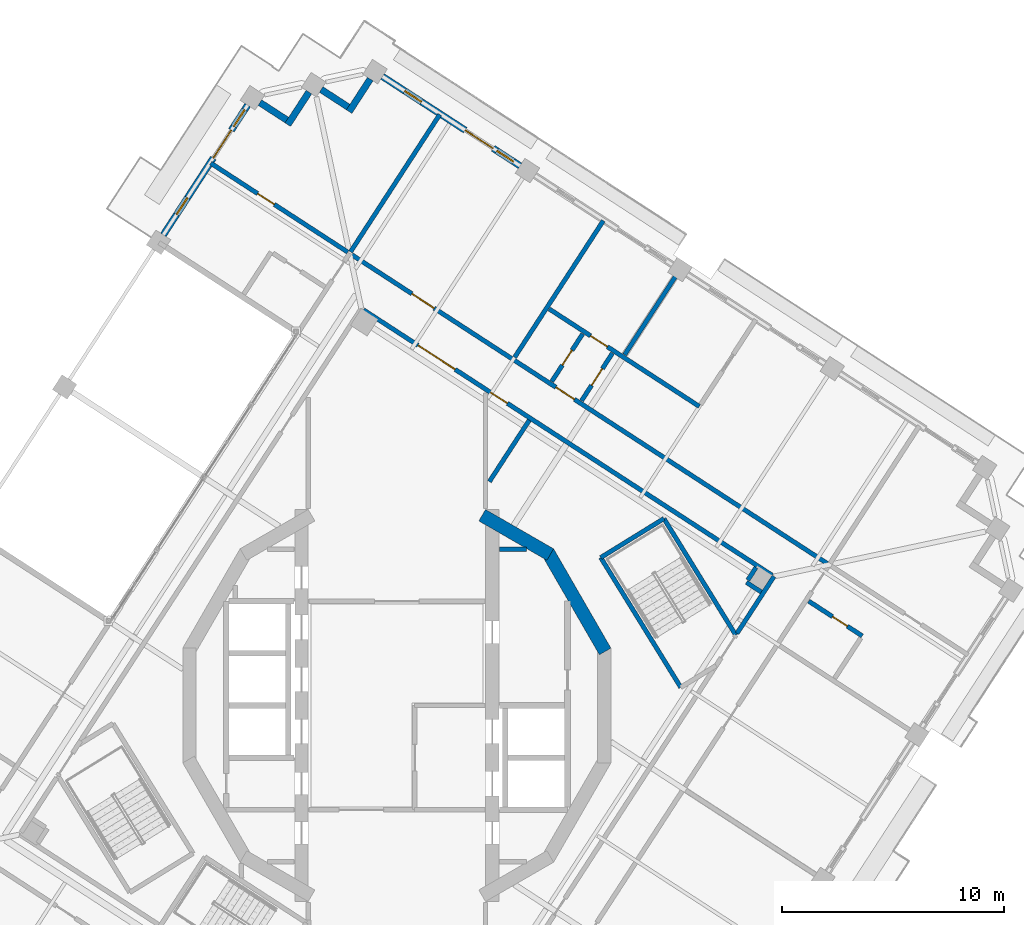
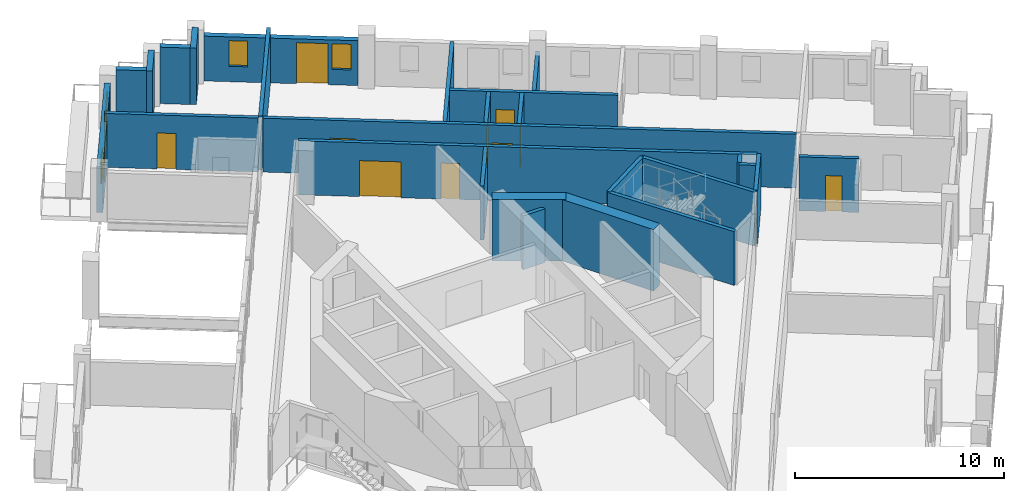
# One storey, part 9 of 17: 26 walls, 11 doors, 4 windows, 15 openings.
"""IFC4 building model written with IfcOpenShell, lengths in metres."""

from ifc_helpers import new_model, si_unit, direction, frame, frame_2d, origin, place, context, subcontext, project, spatial, rectangle, extrude, material, layer, layer_set, type_object, element, fill, save


model = new_model("IFC4")

# Units and contexts
model_context = context("Model", 3, precision=1e-05, world=origin(), true_north=direction((0.0, 1.0)))
body_context = subcontext(model_context, "Body", "Model", "MODEL_VIEW")
ifc_project = project(units=[si_unit("LENGTHUNIT", "METRE"), si_unit("AREAUNIT", "SQUARE_METRE"), si_unit("VOLUMEUNIT", "CUBIC_METRE"), si_unit("PLANEANGLEUNIT", "RADIAN"), si_unit("MASSUNIT", "GRAM", prefix="KILO")], contexts=[model_context])

# Site, building, storey
site_placement = place(None, origin())
site = spatial("IfcSite", under=ifc_project, at=site_placement, CompositionType="ELEMENT")
building_placement = place(site_placement, origin())
building = spatial("IfcBuilding", under=site, at=building_placement, Name="Cantera Rosa Tower", CompositionType="ELEMENT")
storey_placement = place(building_placement, frame((0.0, 0.0, 286.5)))
storey = spatial("IfcBuildingStorey", under=building, at=storey_placement, Name="L65", CompositionType="ELEMENT", Elevation=286.5)

# Wall
ifc_material_1 = material(Name="Gypsum board partition")
ifc_layer_1 = layer(ifc_material_1, 0.199951171875)
ifc_layer_set_1 = layer_set([ifc_layer_1], Name="CORRIDOR WALL 200 H3150")
wall_type_1 = type_object("IfcWallType", Name="CORRIDOR WALL 200 H3150", PredefinedType="PARTITIONING", material=ifc_layer_set_1)
wall_1_placement = place(storey_placement, frame((15.349853515625, 3.256103515625, 0.0), z_axis=(0.0, 0.0, 1.0), x_axis=(0.544603984755, 0.838693328809, 0.0)))
element("IfcWall", 1, at=wall_1_placement, inside=storey, type_object=wall_type_1, Name="CORRIDOR WALL L65-083", PredefinedType="PARTITIONING", context=body_context, shape_type="SweptSolid", body=[
    extrude(rectangle(XDim=3.05908203125, YDim=0.199951171875, at=frame_2d((1.529541015625, 0.0))), origin(), (0.0, 0.0, 1.0), 3.14990234375),
])

# Wall, openings, doors
wall_2_placement = place(storey_placement, frame((16.931884765625, 5.876220703125, 0.0), z_axis=(0.0, 0.0, 1.0), x_axis=(-0.838668134264, 0.544642782538, 0.0)))
wall_2 = element("IfcWall", 2, at=wall_2_placement, inside=storey, type_object=wall_type_1, Name="CORRIDOR WALL L65-087", PredefinedType="PARTITIONING", context=body_context, shape_type="SweptSolid", body=[
    extrude(rectangle(XDim=21.97998046875, YDim=0.199951171875, at=frame_2d((10.989990234375, 0.0))), origin(), (0.0, 0.0, 1.0), 3.14990234375),
])
opening_1_placement = place(wall_2_placement, frame((14.243896484375, 0.0, 0.0)))
opening_1 = element("IfcOpeningElement", 3, at=opening_1_placement, cuts=wall_2, Name="Opening L65-004", PredefinedType="OPENING", context=body_context, shape_type="SweptSolid", body=[
    extrude(rectangle(XDim=0.89990234375, YDim=2.10009765625, at=frame_2d((0.449951171875, 1.050048828125))), frame((0.0, 0.10986328125, 0.0), z_axis=(0.0, -1.0, 0.0), x_axis=(1.0, 0.0, 0.0)), (0.0, 0.0, 1.0), 0.219970703125),
])
opening_2_placement = place(wall_2_placement, frame((17.050048828125, 0.0, 0.0)))
opening_2 = element("IfcOpeningElement", 4, at=opening_2_placement, cuts=wall_2, Name="Opening L65-008", PredefinedType="OPENING", context=body_context, shape_type="SweptSolid", body=[
    extrude(rectangle(XDim=2.0, YDim=2.10009765625, at=frame_2d((1.0, 1.050048828125))), frame((0.0, 0.10986328125, 0.0), z_axis=(0.0, -1.0, 0.0), x_axis=(1.0, 0.0, 0.0)), (0.0, 0.0, 1.0), 0.219970703125),
])
ifc_material_2 = material(Name="Steel S355J2 (EN 10025-2)", Category="steel")
door_type_1 = type_object("IfcDoorType", Name="LOBBY SCREEN DOOR 2000x2100", OperationType="NOTDEFINED", PredefinedType="DOOR", material=ifc_material_2)
door_1_placement = place(opening_2_placement, origin())
door_1 = element("IfcDoor", 5, at=door_1_placement, inside=storey, type_object=door_type_1, Name="DOOR L65-008", OperationType="NOTDEFINED", OverallHeight=2.10009765625, OverallWidth=2.0, PredefinedType="DOOR", context=body_context, shape_type="SweptSolid", body=[
    extrude(rectangle(XDim=2.0, YDim=2.10009765625, at=frame_2d((1.0, 1.050048828125))), frame((0.0, 0.02490234375, 0.0), z_axis=(0.0, -1.0, 0.0), x_axis=(1.0, 0.0, 0.0)), (0.0, 0.0, 1.0), 0.050048828125),
])
fill(opening_2, door_1)
ifc_material_3 = material(Name="Timber door leaf", Category="wood")
door_type_2 = type_object("IfcDoorType", Name="SERVICE DOOR 900x2100", OperationType="NOTDEFINED", PredefinedType="DOOR", material=ifc_material_3)
door_2_placement = place(opening_1_placement, origin())
door_2 = element("IfcDoor", 6, at=door_2_placement, inside=storey, type_object=door_type_2, Name="DOOR L65-004", OperationType="NOTDEFINED", OverallHeight=2.10009765625, OverallWidth=0.89990234375, PredefinedType="DOOR", context=body_context, shape_type="SweptSolid", body=[
    extrude(rectangle(XDim=0.89990234375, YDim=2.10009765625, at=frame_2d((0.449951171875, 1.050048828125))), frame((0.0, 0.02490234375, 0.0), z_axis=(0.0, -1.0, 0.0), x_axis=(1.0, 0.0, 0.0)), (0.0, 0.0, 1.0), 0.050048828125),
])
fill(opening_1, door_2)

wall_3_placement = place(storey_placement, frame((19.422119140625, 6.405517578125, 0.0), z_axis=(0.0, 0.0, 1.0), x_axis=(-0.838672283131, 0.544636393851, 0.0)))
wall_3 = element("IfcWall", 7, at=wall_3_placement, inside=storey, type_object=wall_type_1, Name="CORRIDOR WALL L65-090", PredefinedType="PARTITIONING", context=body_context, shape_type="SweptSolid", body=[
    extrude(rectangle(XDim=25.580078125, YDim=0.199951171875, at=frame_2d((12.7900390625, 0.0))), origin(), (0.0, 0.0, 1.0), 3.14990234375),
])
opening_3_placement = place(wall_3_placement, frame((13.60009765625, 0.0, 0.0)))
opening_3 = element("IfcOpeningElement", 8, at=opening_3_placement, cuts=wall_3, Name="Opening L65-018", PredefinedType="OPENING", context=body_context, shape_type="SweptSolid", body=[
    extrude(rectangle(XDim=1.0, YDim=2.10009765625, at=frame_2d((0.5, 1.050048828125))), frame((0.0, 0.10986328125, 0.0), z_axis=(0.0, -1.0, 0.0), x_axis=(1.0, 0.0, 0.0)), (0.0, 0.0, 1.0), 0.219970703125),
])
opening_4_placement = place(wall_3_placement, frame((21.14990234375, 0.0, 0.0)))
opening_4 = element("IfcOpeningElement", 9, at=opening_4_placement, cuts=wall_3, Name="Opening L65-023", PredefinedType="OPENING", context=body_context, shape_type="SweptSolid", body=[
    extrude(rectangle(XDim=1.199951171875, YDim=2.10009765625, at=frame_2d((0.60009765625, 1.050048828125))), frame((0.0, 0.10986328125, 0.0), z_axis=(0.0, -1.0, 0.0), x_axis=(1.0, 0.0, 0.0)), (0.0, 0.0, 1.0), 0.219970703125),
])
ifc_material_4 = material(Name="Timber door leaf", Category="wood")
door_type_3 = type_object("IfcDoorType", Name="ENTRANCE DOOR 1000x2100", OperationType="NOTDEFINED", PredefinedType="DOOR", material=ifc_material_4)
door_3_placement = place(opening_3_placement, origin())
door_3 = element("IfcDoor", 10, at=door_3_placement, inside=storey, type_object=door_type_3, Name="DOOR L65-018", OperationType="NOTDEFINED", OverallHeight=2.10009765625, OverallWidth=1.0, PredefinedType="DOOR", context=body_context, shape_type="SweptSolid", body=[
    extrude(rectangle(XDim=1.0, YDim=2.10009765625, at=frame_2d((0.5, 1.050048828125))), frame((0.0, 0.02490234375, 0.0), z_axis=(0.0, -1.0, 0.0), x_axis=(1.0, 0.0, 0.0)), (0.0, 0.0, 1.0), 0.050048828125),
])
fill(opening_3, door_3)
ifc_material_5 = material(Name="Timber door leaf", Category="wood")
door_type_4 = type_object("IfcDoorType", Name="ROOM DOOR 1200x2100", OperationType="NOTDEFINED", PredefinedType="DOOR", material=ifc_material_5)
door_4_placement = place(opening_4_placement, origin())
door_4 = element("IfcDoor", 11, at=door_4_placement, inside=storey, type_object=door_type_4, Name="DOOR L65-023", OperationType="NOTDEFINED", OverallHeight=2.10009765625, OverallWidth=1.199951171875, PredefinedType="DOOR", context=body_context, shape_type="SweptSolid", body=[
    extrude(rectangle(XDim=1.199951171875, YDim=2.10009765625, at=frame_2d((0.60009765625, 1.050048828125))), frame((0.0, 0.02490234375, 0.0), z_axis=(0.0, -1.0, 0.0), x_axis=(1.0, 0.0, 0.0)), (0.0, 0.0, 1.0), 0.050048828125),
])
fill(opening_4, door_4)

# Walls
ifc_material_6 = material(Name="Hollow clay masonry with cantera stone cladding", Category="masonry")
ifc_layer_2 = layer(ifc_material_6, 0.300048828125)
ifc_layer_set_2 = layer_set([ifc_layer_2], Name="EW-LOGGIA 300")
wall_type_2 = type_object("IfcWallType", Name="EW-LOGGIA 300", PredefinedType="SOLIDWALL", material=ifc_layer_set_2)
wall_4_placement = place(storey_placement, frame((-1.2001953125, 28.263427734375, 0.0), z_axis=(0.0, 0.0, 1.0), x_axis=(-0.54461563776, -0.838685761837, 0.0)))
element("IfcWall", 12, at=wall_4_placement, inside=storey, type_object=wall_type_2, Name="EN-L65-W05a", PredefinedType="SOLIDWALL", context=body_context, shape_type="SweptSolid", body=[
    extrude(rectangle(XDim=1.75, YDim=0.300048828125, at=frame_2d((0.875, 0.0))), origin(), (0.0, 0.0, 1.0), 3.300048828125),
])
wall_5_placement = place(storey_placement, frame((-2.197509765625, 27.003173828125, 0.0), z_axis=(0.0, 0.0, 1.0), x_axis=(-0.838647435384, 0.54467465438, 0.0)))
element("IfcWall", 13, at=wall_5_placement, inside=storey, type_object=wall_type_2, Name="EN-L65-W05b", PredefinedType="SOLIDWALL", context=body_context, shape_type="SweptSolid", body=[
    extrude(rectangle(XDim=1.449951171875, YDim=0.300048828125, at=frame_2d((0.72509765625, 0.0))), origin(), (0.0, 0.0, 1.0), 3.300048828125),
])
wall_6_placement = place(storey_placement, frame((-3.966796875, 27.67529296875, 0.0), z_axis=(0.0, 0.0, 1.0), x_axis=(-0.544679362749, -0.83864437743, 0.0)))
element("IfcWall", 14, at=wall_6_placement, inside=storey, type_object=wall_type_2, Name="EN-L65-W06a", PredefinedType="SOLIDWALL", context=body_context, shape_type="SweptSolid", body=[
    extrude(rectangle(XDim=1.75, YDim=0.300048828125, at=frame_2d((0.875, 0.0))), origin(), (0.0, 0.0, 1.0), 3.300048828125),
])
wall_7_placement = place(storey_placement, frame((-4.964111328125, 26.415283203125, 0.0), z_axis=(0.0, 0.0, 1.0), x_axis=(-0.838724343483, 0.544556218997, 0.0)))
element("IfcWall", 15, at=wall_7_placement, inside=storey, type_object=wall_type_2, Name="EN-L65-W06b", PredefinedType="SOLIDWALL", context=body_context, shape_type="SweptSolid", body=[
    extrude(rectangle(XDim=1.449951171875, YDim=0.300048828125, at=frame_2d((0.72509765625, 0.0))), origin(), (0.0, 0.0, 1.0), 3.300048828125),
])

# Wall, openings, windows, door
ifc_material_7 = material(Name="Hollow clay masonry with cantera stone cladding", Category="masonry")
ifc_layer_3 = layer(ifc_material_7, 0.300048828125)
ifc_layer_set_3 = layer_set([ifc_layer_3], Name="EW-LOGGIA 300 H2620")
wall_type_3 = type_object("IfcWallType", Name="EW-LOGGIA 300 H2620", PredefinedType="SOLIDWALL", material=ifc_layer_set_3)
wall_8_placement = place(storey_placement, frame((5.559326171875, 24.350830078125, 0.0), z_axis=(0.0, 0.0, 1.0), x_axis=(-0.838679465365, 0.544625333946, 0.0)))
wall_8 = element("IfcWall", 16, at=wall_8_placement, inside=storey, type_object=wall_type_3, Name="EN-L65-W04", PredefinedType="SOLIDWALL", context=body_context, shape_type="SweptSolid", body=[
    extrude(rectangle(XDim=7.400146484375, YDim=0.300048828125, at=frame_2d((3.7001953125, 0.0))), origin(), (0.0, 0.0, 1.0), 2.6201171875),
])
opening_5_placement = place(wall_8_placement, frame((0.35009765625, 0.0, 0.89990234375)))
opening_5 = element("IfcOpeningElement", 17, at=opening_5_placement, cuts=wall_8, Name="Opening L65-W10", PredefinedType="OPENING", context=body_context, shape_type="SweptSolid", body=[
    extrude(rectangle(XDim=0.89990234375, YDim=1.5, at=frame_2d((0.449951171875, 0.75))), frame((0.0, 0.159912109375, 0.0), z_axis=(0.0, -1.0, 0.0), x_axis=(1.0, 0.0, 0.0)), (0.0, 0.0, 1.0), 0.320068359375),
])
opening_6_placement = place(wall_8_placement, frame((1.449951171875, 0.0, 0.0)))
opening_6 = element("IfcOpeningElement", 18, at=opening_6_placement, cuts=wall_8, Name="Opening L65-TD11", PredefinedType="OPENING", context=body_context, shape_type="SweptSolid", body=[
    extrude(rectangle(XDim=1.5, YDim=2.39990234375, at=frame_2d((0.75, 1.199951171875))), frame((0.0, 0.159912109375, 0.0), z_axis=(0.0, -1.0, 0.0), x_axis=(1.0, 0.0, 0.0)), (0.0, 0.0, 1.0), 0.320068359375),
])
opening_7_placement = place(wall_8_placement, frame((5.300048828125, 0.0, 0.89990234375)))
opening_7 = element("IfcOpeningElement", 19, at=opening_7_placement, cuts=wall_8, Name="Opening L65-W12", PredefinedType="OPENING", context=body_context, shape_type="SweptSolid", body=[
    extrude(rectangle(XDim=0.89990234375, YDim=1.5, at=frame_2d((0.449951171875, 0.75))), frame((0.0, 0.159912109375, 0.0), z_axis=(0.0, -1.0, 0.0), x_axis=(1.0, 0.0, 0.0)), (0.0, 0.0, 1.0), 0.320068359375),
])
ifc_material_8 = material(Name="Aluminium frame with clear glass", Category="aluminium")
window_type = type_object("IfcWindowType", Name="Residential window 900x1500", PartitioningType="SINGLE_PANEL", PredefinedType="WINDOW", material=ifc_material_8)
window_1_placement = place(opening_5_placement, origin())
window_1 = element("IfcWindow", 20, at=window_1_placement, inside=storey, type_object=window_type, Name="WINDOW L65-W10", OverallHeight=1.5, OverallWidth=0.89990234375, PartitioningType="SINGLE_PANEL", PredefinedType="WINDOW", context=body_context, shape_type="SweptSolid", body=[
    extrude(rectangle(XDim=0.89990234375, YDim=1.5, at=frame_2d((0.449951171875, 0.75))), frame((0.0, 0.030029296875, 0.0), z_axis=(0.0, -1.0, 0.0), x_axis=(1.0, 0.0, 0.0)), (0.0, 0.0, 1.0), 0.06005859375),
])
fill(opening_5, window_1)
window_2_placement = place(opening_7_placement, origin())
window_2 = element("IfcWindow", 21, at=window_2_placement, inside=storey, type_object=window_type, Name="WINDOW L65-W12", OverallHeight=1.5, OverallWidth=0.89990234375, PartitioningType="SINGLE_PANEL", PredefinedType="WINDOW", context=body_context, shape_type="SweptSolid", body=[
    extrude(rectangle(XDim=0.89990234375, YDim=1.5, at=frame_2d((0.449951171875, 0.75))), frame((0.0, 0.030029296875, 0.0), z_axis=(0.0, -1.0, 0.0), x_axis=(1.0, 0.0, 0.0)), (0.0, 0.0, 1.0), 0.06005859375),
])
fill(opening_7, window_2)
ifc_material_9 = material(Name="Aluminium frame with clear glass", Category="aluminium")
door_type_5 = type_object("IfcDoorType", Name="TD-R 1500x2400", OperationType="NOTDEFINED", PredefinedType="DOOR", material=ifc_material_9)
door_5_placement = place(opening_6_placement, origin())
door_5 = element("IfcDoor", 22, at=door_5_placement, inside=storey, type_object=door_type_5, Name="LOGGIA DOOR L65-TD11", OperationType="SLIDING_TO_LEFT", OverallHeight=2.39990234375, OverallWidth=1.5, PredefinedType="DOOR", context=body_context, shape_type="SweptSolid", body=[
    extrude(rectangle(XDim=1.5, YDim=2.39990234375, at=frame_2d((0.75, 1.199951171875))), frame((0.0, 0.02490234375, 0.0), z_axis=(0.0, -1.0, 0.0), x_axis=(1.0, 0.0, 0.0)), (0.0, 0.0, 1.0), 0.050048828125),
])
fill(opening_6, door_5)

ifc_material_10 = material(Name="Hollow clay masonry with cantera stone cladding", Category="masonry")
ifc_layer_4 = layer(ifc_material_10, 0.300048828125)
ifc_layer_set_4 = layer_set([ifc_layer_4], Name="EW-LOGGIA 300 H2690")
wall_type_4 = type_object("IfcWallType", Name="EW-LOGGIA 300 H2690", PredefinedType="SOLIDWALL", material=ifc_layer_set_4)
wall_9_placement = place(storey_placement, frame((-6.7333984375, 27.08740234375, 0.0), z_axis=(0.0, 0.0, 1.0), x_axis=(-0.544651451949, -0.838662504164, 0.0)))
wall_9 = element("IfcWall", 23, at=wall_9_placement, inside=storey, type_object=wall_type_4, Name="EN-L65-W07", PredefinedType="SOLIDWALL", context=body_context, shape_type="SweptSolid", body=[
    extrude(rectangle(XDim=6.980224609375, YDim=0.300048828125, at=frame_2d((3.490234375, 0.0))), origin(), (0.0, 0.0, 1.0), 2.68994140625),
])
opening_8_placement = place(wall_9_placement, frame((0.2451171875, 0.0, 0.89990234375)))
opening_8 = element("IfcOpeningElement", 24, at=opening_8_placement, cuts=wall_9, Name="Opening L65-W13", PredefinedType="OPENING", context=body_context, shape_type="SweptSolid", body=[
    extrude(rectangle(XDim=0.89990234375, YDim=1.5, at=frame_2d((0.449951171875, 0.75))), frame((0.0, 0.159912109375, 0.0), z_axis=(0.0, -1.0, 0.0), x_axis=(1.0, 0.0, 0.0)), (0.0, 0.0, 1.0), 0.320068359375),
])
opening_9_placement = place(wall_9_placement, frame((1.344970703125, 0.0, 0.0)))
opening_9 = element("IfcOpeningElement", 25, at=opening_9_placement, cuts=wall_9, Name="Opening L65-TD14", PredefinedType="OPENING", context=body_context, shape_type="SweptSolid", body=[
    extrude(rectangle(XDim=1.5, YDim=2.39990234375, at=frame_2d((0.75, 1.199951171875))), frame((0.0, 0.159912109375, 0.0), z_axis=(0.0, -1.0, 0.0), x_axis=(1.0, 0.0, 0.0)), (0.0, 0.0, 1.0), 0.320068359375),
])
opening_10_placement = place(wall_9_placement, frame((4.985107421875, 0.0, 0.89990234375)))
opening_10 = element("IfcOpeningElement", 26, at=opening_10_placement, cuts=wall_9, Name="Opening L65-W15", PredefinedType="OPENING", context=body_context, shape_type="SweptSolid", body=[
    extrude(rectangle(XDim=0.89990234375, YDim=1.5, at=frame_2d((0.449951171875, 0.75))), frame((0.0, 0.159912109375, 0.0), z_axis=(0.0, -1.0, 0.0), x_axis=(1.0, 0.0, 0.0)), (0.0, 0.0, 1.0), 0.320068359375),
])
window_3_placement = place(opening_8_placement, origin())
window_3 = element("IfcWindow", 27, at=window_3_placement, inside=storey, type_object=window_type, Name="WINDOW L65-W13", OverallHeight=1.5, OverallWidth=0.89990234375, PartitioningType="SINGLE_PANEL", PredefinedType="WINDOW", context=body_context, shape_type="SweptSolid", body=[
    extrude(rectangle(XDim=0.89990234375, YDim=1.5, at=frame_2d((0.449951171875, 0.75))), frame((0.0, 0.030029296875, 0.0), z_axis=(0.0, -1.0, 0.0), x_axis=(1.0, 0.0, 0.0)), (0.0, 0.0, 1.0), 0.06005859375),
])
fill(opening_8, window_3)
window_4_placement = place(opening_10_placement, origin())
window_4 = element("IfcWindow", 28, at=window_4_placement, inside=storey, type_object=window_type, Name="WINDOW L65-W15", OverallHeight=1.5, OverallWidth=0.89990234375, PartitioningType="SINGLE_PANEL", PredefinedType="WINDOW", context=body_context, shape_type="SweptSolid", body=[
    extrude(rectangle(XDim=0.89990234375, YDim=1.5, at=frame_2d((0.449951171875, 0.75))), frame((0.0, 0.030029296875, 0.0), z_axis=(0.0, -1.0, 0.0), x_axis=(1.0, 0.0, 0.0)), (0.0, 0.0, 1.0), 0.06005859375),
])
fill(opening_10, window_4)
door_6_placement = place(opening_9_placement, origin())
door_6 = element("IfcDoor", 29, at=door_6_placement, inside=storey, type_object=door_type_5, Name="LOGGIA DOOR L65-TD14", OperationType="SLIDING_TO_LEFT", OverallHeight=2.39990234375, OverallWidth=1.5, PredefinedType="DOOR", context=body_context, shape_type="SweptSolid", body=[
    extrude(rectangle(XDim=1.5, YDim=2.39990234375, at=frame_2d((0.75, 1.199951171875))), frame((0.0, 0.02490234375, 0.0), z_axis=(0.0, -1.0, 0.0), x_axis=(1.0, 0.0, 0.0)), (0.0, 0.0, 1.0), 0.050048828125),
])
fill(opening_9, door_6)

# Wall
ifc_material_11 = material(Name="Gypsum board partition")
ifc_layer_5 = layer(ifc_material_11, 0.199951171875)
ifc_layer_set_5 = layer_set([ifc_layer_5], Name="PARTITION 200 H2250")
wall_type_5 = type_object("IfcWallType", Name="PARTITION 200 H2250", PredefinedType="PARTITIONING", material=ifc_layer_set_5)
wall_10_placement = place(storey_placement, frame((12.75537109375, 19.6416015625, 0.0), z_axis=(0.0, 0.0, 1.0), x_axis=(-0.544629951314, -0.8386764669, 0.0)))
element("IfcWall", 30, at=wall_10_placement, inside=storey, type_object=wall_type_5, Name="PARTITION L65-078", PredefinedType="PARTITIONING", context=body_context, shape_type="SweptSolid", body=[
    extrude(rectangle(XDim=4.550048828125, YDim=0.199951171875, at=frame_2d((2.27490234375, 0.0))), origin(), (0.0, 0.0, 1.0), 2.25),
])

# Wall, opening, door
ifc_material_12 = material(Name="Gypsum board partition")
ifc_layer_6 = layer(ifc_material_12, 0.199951171875)
ifc_layer_set_6 = layer_set([ifc_layer_6], Name="PARTITION 200 H3150")
wall_type_6 = type_object("IfcWallType", Name="PARTITION 200 H3150", PredefinedType="PARTITIONING", material=ifc_layer_set_6)
wall_11_placement = place(storey_placement, frame((-2.2158203125, 20.45703125, 0.0), z_axis=(0.0, 0.0, 1.0), x_axis=(-0.838656223885, 0.544661122294, 0.0)))
wall_11 = element("IfcWall", 31, at=wall_11_placement, inside=storey, type_object=wall_type_6, Name="PARTITION L65-048", PredefinedType="PARTITIONING", context=body_context, shape_type="SweptSolid", body=[
    extrude(rectangle(XDim=7.3701171875, YDim=0.199951171875, at=frame_2d((3.68505859375, 0.0))), origin(), (0.0, 0.0, 1.0), 3.14990234375),
])
opening_11_placement = place(wall_11_placement, frame((3.949951171875, 0.0, 0.0)))
opening_11 = element("IfcOpeningElement", 32, at=opening_11_placement, cuts=wall_11, Name="Opening L65-027", PredefinedType="OPENING", context=body_context, shape_type="SweptSolid", body=[
    extrude(rectangle(XDim=0.89990234375, YDim=2.10009765625, at=frame_2d((0.449951171875, 1.050048828125))), frame((0.0, 0.10986328125, 0.0), z_axis=(0.0, -1.0, 0.0), x_axis=(1.0, 0.0, 0.0)), (0.0, 0.0, 1.0), 0.219970703125),
])
ifc_material_13 = material(Name="Timber door leaf", Category="wood")
door_type_6 = type_object("IfcDoorType", Name="ROOM DOOR 900x2100", OperationType="NOTDEFINED", PredefinedType="DOOR", material=ifc_material_13)
door_7_placement = place(opening_11_placement, origin())
door_7 = element("IfcDoor", 33, at=door_7_placement, inside=storey, type_object=door_type_6, Name="DOOR L65-027", OperationType="NOTDEFINED", OverallHeight=2.10009765625, OverallWidth=0.89990234375, PredefinedType="DOOR", context=body_context, shape_type="SweptSolid", body=[
    extrude(rectangle(XDim=0.89990234375, YDim=2.10009765625, at=frame_2d((0.449951171875, 1.050048828125))), frame((0.0, 0.02490234375, 0.0), z_axis=(0.0, -1.0, 0.0), x_axis=(1.0, 0.0, 0.0)), (0.0, 0.0, 1.0), 0.050048828125),
])
fill(opening_11, door_7)

# Walls
wall_12_placement = place(storey_placement, frame((4.6298828125, 7.050048828125, 0.0), z_axis=(0.0, 0.0, 1.0), x_axis=(1.0, 0.0, 0.0)))
element("IfcWall", 34, at=wall_12_placement, inside=storey, type_object=wall_type_6, Name="PARTITION L65-062", PredefinedType="PARTITIONING", context=body_context, shape_type="SweptSolid", body=[
    extrude(rectangle(XDim=1.2177734375, YDim=0.199951171875, at=frame_2d((0.60888671875, 0.0))), origin(), (0.0, 0.0, 1.0), 3.14990234375),
])
wall_13_placement = place(storey_placement, frame((5.974853515625, 12.87255859375, 0.0), z_axis=(0.0, 0.0, 1.0), x_axis=(-0.544656040198, -0.838659524405, 0.0)))
element("IfcWall", 35, at=wall_13_placement, inside=storey, type_object=wall_type_6, Name="PARTITION L65-067", PredefinedType="PARTITIONING", context=body_context, shape_type="SweptSolid", body=[
    extrude(rectangle(XDim=3.305908203125, YDim=0.199951171875, at=frame_2d((1.65283203125, 0.0))), origin(), (0.0, 0.0, 1.0), 3.14990234375),
])

# Wall, opening, door
wall_14_placement = place(storey_placement, frame((6.8740234375, 17.892578125, 0.0), z_axis=(0.0, 0.0, 1.0), x_axis=(0.838683778362, -0.544618692218, 0.0)))
wall_14 = element("IfcWall", 36, at=wall_14_placement, inside=storey, type_object=wall_type_6, Name="PARTITION L65-068", PredefinedType="PARTITIONING", context=body_context, shape_type="SweptSolid", body=[
    extrude(rectangle(XDim=8.079833984375, YDim=0.199951171875, at=frame_2d((4.0400390625, 0.0))), origin(), (0.0, 0.0, 1.0), 3.14990234375),
])
opening_12_placement = place(wall_14_placement, frame((2.22998046875, 0.0, 0.0)))
opening_12 = element("IfcOpeningElement", 37, at=opening_12_placement, cuts=wall_14, Name="Opening L65-021", PredefinedType="OPENING", context=body_context, shape_type="SweptSolid", body=[
    extrude(rectangle(XDim=0.89990234375, YDim=2.10009765625, at=frame_2d((0.449951171875, 1.050048828125))), frame((0.0, 0.10986328125, 0.0), z_axis=(0.0, -1.0, 0.0), x_axis=(1.0, 0.0, 0.0)), (0.0, 0.0, 1.0), 0.219970703125),
])
door_8_placement = place(opening_12_placement, origin())
door_8 = element("IfcDoor", 38, at=door_8_placement, inside=storey, type_object=door_type_6, Name="DOOR L65-021", OperationType="NOTDEFINED", OverallHeight=2.10009765625, OverallWidth=0.89990234375, PredefinedType="DOOR", context=body_context, shape_type="SweptSolid", body=[
    extrude(rectangle(XDim=0.89990234375, YDim=2.10009765625, at=frame_2d((0.449951171875, 1.050048828125))), frame((0.0, 0.02490234375, 0.0), z_axis=(0.0, -1.0, 0.0), x_axis=(1.0, 0.0, 0.0)), (0.0, 0.0, 1.0), 0.050048828125),
])
fill(opening_12, door_8)

wall_15_placement = place(storey_placement, frame((8.385498046875, 16.768310546875, 0.0), z_axis=(0.0, 0.0, 1.0), x_axis=(-0.544602829464, -0.838694078994, 0.0)))
wall_15 = element("IfcWall", 39, at=wall_15_placement, inside=storey, type_object=wall_type_6, Name="PARTITION L65-073", PredefinedType="PARTITIONING", context=body_context, shape_type="SweptSolid", body=[
    extrude(rectangle(XDim=2.560302734375, YDim=0.199951171875, at=frame_2d((1.2802734375, 0.0))), origin(), (0.0, 0.0, 1.0), 3.14990234375),
])
opening_13_placement = place(wall_15_placement, frame((0.8798828125, 0.0, 0.0)))
opening_13 = element("IfcOpeningElement", 40, at=opening_13_placement, cuts=wall_15, Name="Opening L65-019", PredefinedType="OPENING", context=body_context, shape_type="SweptSolid", body=[
    extrude(rectangle(XDim=0.800048828125, YDim=2.10009765625, at=frame_2d((0.39990234375, 1.050048828125))), frame((0.0, 0.10986328125, 0.0), z_axis=(0.0, -1.0, 0.0), x_axis=(1.0, 0.0, 0.0)), (0.0, 0.0, 1.0), 0.219970703125),
])
ifc_material_14 = material(Name="Timber door leaf", Category="wood")
door_type_7 = type_object("IfcDoorType", Name="BATHROOM DOOR 800x2100", OperationType="NOTDEFINED", PredefinedType="DOOR", material=ifc_material_14)
door_9_placement = place(opening_13_placement, origin())
door_9 = element("IfcDoor", 41, at=door_9_placement, inside=storey, type_object=door_type_7, Name="DOOR L65-019", OperationType="NOTDEFINED", OverallHeight=2.10009765625, OverallWidth=0.800048828125, PredefinedType="DOOR", context=body_context, shape_type="SweptSolid", body=[
    extrude(rectangle(XDim=0.800048828125, YDim=2.10009765625, at=frame_2d((0.39990234375, 1.050048828125))), frame((0.0, 0.02490234375, 0.0), z_axis=(0.0, -1.0, 0.0), x_axis=(1.0, 0.0, 0.0)), (0.0, 0.0, 1.0), 0.050048828125),
])
fill(opening_13, door_9)

wall_16_placement = place(storey_placement, frame((9.727294921875, 15.896728515625, 0.0), z_axis=(0.0, 0.0, 1.0), x_axis=(-0.544646388536, -0.838665792468, 0.0)))
wall_16 = element("IfcWall", 42, at=wall_16_placement, inside=storey, type_object=wall_type_6, Name="PARTITION L65-075", PredefinedType="PARTITIONING", context=body_context, shape_type="SweptSolid", body=[
    extrude(rectangle(XDim=2.56005859375, YDim=0.199951171875, at=frame_2d((1.280029296875, 0.0))), origin(), (0.0, 0.0, 1.0), 3.14990234375),
])
opening_14_placement = place(wall_16_placement, frame((0.830078125, 0.0, 0.0)))
opening_14 = element("IfcOpeningElement", 43, at=opening_14_placement, cuts=wall_16, Name="Opening L65-020", PredefinedType="OPENING", context=body_context, shape_type="SweptSolid", body=[
    extrude(rectangle(XDim=0.89990234375, YDim=2.10009765625, at=frame_2d((0.449951171875, 1.050048828125))), frame((0.0, 0.10986328125, 0.0), z_axis=(0.0, -1.0, 0.0), x_axis=(1.0, 0.0, 0.0)), (0.0, 0.0, 1.0), 0.219970703125),
])
door_10_placement = place(opening_14_placement, origin())
door_10 = element("IfcDoor", 44, at=door_10_placement, inside=storey, type_object=door_type_6, Name="DOOR L65-020", OperationType="NOTDEFINED", OverallHeight=2.10009765625, OverallWidth=0.89990234375, PredefinedType="DOOR", context=body_context, shape_type="SweptSolid", body=[
    extrude(rectangle(XDim=0.89990234375, YDim=2.10009765625, at=frame_2d((0.449951171875, 1.050048828125))), frame((0.0, 0.02490234375, 0.0), z_axis=(0.0, -1.0, 0.0), x_axis=(1.0, 0.0, 0.0)), (0.0, 0.0, 1.0), 0.050048828125),
])
fill(opening_14, door_10)

# Walls
wall_17_placement = place(storey_placement, frame((15.77099609375, 5.55712890625, 0.0), z_axis=(0.0, 0.0, 1.0), x_axis=(0.838610911516, -0.544730886847, 0.0)))
element("IfcWall", 45, at=wall_17_placement, inside=storey, type_object=wall_type_6, Name="PARTITION L65-084", PredefinedType="PARTITIONING", context=body_context, shape_type="SweptSolid", body=[
    extrude(rectangle(XDim=0.800048828125, YDim=0.199951171875, at=frame_2d((0.39990234375, 0.0))), origin(), (0.0, 0.0, 1.0), 3.14990234375),
])
wall_18_placement = place(storey_placement, frame((16.20654296875, 6.22802734375, 0.0), z_axis=(0.0, 0.0, 1.0), x_axis=(-0.544634959849, -0.838673214375, 0.0)))
element("IfcWall", 46, at=wall_18_placement, inside=storey, type_object=wall_type_6, Name="PARTITION L65-086", PredefinedType="PARTITIONING", context=body_context, shape_type="SweptSolid", body=[
    extrude(rectangle(XDim=0.679931640625, YDim=0.199951171875, at=frame_2d((0.33984375, 0.0))), origin(), (0.0, 0.0, 1.0), 3.14990234375),
])

# Wall, opening, door
wall_19_placement = place(storey_placement, frame((18.58251953125, 4.708984375, 0.0), z_axis=(0.0, 0.0, 1.0), x_axis=(0.838654665308, -0.544663522147, 0.0)))
wall_19 = element("IfcWall", 47, at=wall_19_placement, inside=storey, type_object=wall_type_6, Name="PARTITION L65-089", PredefinedType="PARTITIONING", context=body_context, shape_type="SweptSolid", body=[
    extrude(rectangle(XDim=2.8798828125, YDim=0.199951171875, at=frame_2d((1.43994140625, 0.0))), origin(), (0.0, 0.0, 1.0), 3.14990234375),
])
opening_15_placement = place(wall_19_placement, frame((1.280029296875, 0.0, 0.0)))
opening_15 = element("IfcOpeningElement", 48, at=opening_15_placement, cuts=wall_19, Name="Opening L65-039", PredefinedType="OPENING", context=body_context, shape_type="SweptSolid", body=[
    extrude(rectangle(XDim=0.800048828125, YDim=2.10009765625, at=frame_2d((0.39990234375, 1.050048828125))), frame((0.0, 0.10986328125, 0.0), z_axis=(0.0, -1.0, 0.0), x_axis=(1.0, 0.0, 0.0)), (0.0, 0.0, 1.0), 0.219970703125),
])
door_11_placement = place(opening_15_placement, origin())
door_11 = element("IfcDoor", 49, at=door_11_placement, inside=storey, type_object=door_type_7, Name="DOOR L65-039", OperationType="NOTDEFINED", OverallHeight=2.10009765625, OverallWidth=0.800048828125, PredefinedType="DOOR", context=body_context, shape_type="SweptSolid", body=[
    extrude(rectangle(XDim=0.800048828125, YDim=2.10009765625, at=frame_2d((0.39990234375, 1.050048828125))), frame((0.0, 0.02490234375, 0.0), z_axis=(0.0, -1.0, 0.0), x_axis=(1.0, 0.0, 0.0)), (0.0, 0.0, 1.0), 0.050048828125),
])
fill(opening_15, door_11)

# Walls
ifc_material_15 = material(Name="Gypsum board partition")
ifc_layer_7 = layer(ifc_material_15, 0.199951171875)
ifc_layer_set_7 = layer_set([ifc_layer_7], Name="PARTY WALL 200 H2650")
wall_type_7 = type_object("IfcWallType", Name="PARTY WALL 200 H2650", PredefinedType="PARTITIONING", material=ifc_layer_set_7)
wall_20_placement = place(storey_placement, frame((5.313720703125, 15.71044921875, 0.0), z_axis=(0.0, 0.0, 1.0), x_axis=(0.544641550729, 0.838668934217, 0.0)))
element("IfcWall", 50, at=wall_20_placement, inside=storey, type_object=wall_type_7, Name="PARTY WALL L65-064", PredefinedType="PARTITIONING", context=body_context, shape_type="SweptSolid", body=[
    extrude(rectangle(XDim=7.35009765625, YDim=0.199951171875, at=frame_2d((3.675048828125, 0.0))), origin(), (0.0, 0.0, 1.0), 2.64990234375),
])
ifc_material_16 = material(Name="Gypsum board partition")
ifc_layer_8 = layer(ifc_material_16, 0.199951171875)
ifc_layer_set_8 = layer_set([ifc_layer_8], Name="PARTY WALL 200 H3150")
wall_type_8 = type_object("IfcWallType", Name="PARTY WALL 200 H3150", PredefinedType="PARTITIONING", material=ifc_layer_set_8)
wall_21_placement = place(storey_placement, frame((-2.08837890625, 20.4697265625, 0.0), z_axis=(0.0, 0.0, 1.0), x_axis=(0.544642261206, 0.838668472824, 0.0)))
element("IfcWall", 51, at=wall_21_placement, inside=storey, type_object=wall_type_8, Name="PARTY WALL L65-049", PredefinedType="PARTITIONING", context=body_context, shape_type="SweptSolid", body=[
    extrude(rectangle(XDim=7.389892578125, YDim=0.199951171875, at=frame_2d((3.69482421875, 0.0))), origin(), (0.0, 0.0, 1.0), 3.14990234375),
])
ifc_material_17 = material(Name="Concrete C50/60", Category="concrete")
ifc_layer_9 = layer(ifc_material_17, 0.60009765625)
ifc_layer_set_9 = layer_set([ifc_layer_9], Name="RC CORE WALL 600 C50/60")
wall_type_9 = type_object("IfcWallType", Name="RC CORE WALL 600 C50/60", PredefinedType="SHEAR", material=ifc_layer_set_9)
wall_22_placement = place(storey_placement, frame((3.85009765625, 8.584228515625, 0.0), z_axis=(0.0, 0.0, 1.0), x_axis=(0.866039982607, -0.499974747889, 0.0)))
element("IfcWall", 52, at=wall_22_placement, inside=storey, type_object=wall_type_9, Name="CW-E1 L65", PredefinedType="SHEAR", context=body_context, shape_type="SweptSolid", body=[
    extrude(rectangle(XDim=3.546142578125, YDim=0.60009765625, at=frame_2d((1.77294921875, 0.0))), origin(), (0.0, 0.0, 1.0), 3.60009765625),
])
wall_23_placement = place(storey_placement, frame((6.811279296875, 6.921142578125, 0.0), z_axis=(0.0, 0.0, 1.0), x_axis=(0.499989188378, -0.866031645787, 0.0)))
element("IfcWall", 53, at=wall_23_placement, inside=storey, type_object=wall_type_9, Name="CW-E2 L65", PredefinedType="SHEAR", context=body_context, shape_type="SweptSolid", body=[
    extrude(rectangle(XDim=5.17626953125, YDim=0.60009765625, at=frame_2d((2.588134765625, 0.0))), origin(), (0.0, 0.0, 1.0), 3.60009765625),
])
ifc_material_18 = material(Name="Concrete C50/60", Category="concrete")
ifc_layer_10 = layer(ifc_material_18, 0.199951171875)
ifc_layer_set_10 = layer_set([ifc_layer_10], Name="STAIR WALL 200 H3150")
wall_type_10 = type_object("IfcWallType", Name="STAIR WALL 200 H3150", PredefinedType="SOLIDWALL", material=ifc_layer_set_10)
wall_24_placement = place(storey_placement, frame((9.199462890625, 6.674072265625, 0.0), z_axis=(0.0, 0.0, 1.0), x_axis=(0.524972254536, -0.851119340614, 0.0)))
element("IfcWall", 54, at=wall_24_placement, inside=storey, type_object=wall_type_10, Name="STAIR WALL L65-074", PredefinedType="SOLIDWALL", context=body_context, shape_type="SweptSolid", body=[
    extrude(rectangle(XDim=6.880126953125, YDim=0.199951171875, at=frame_2d((3.43994140625, 0.0))), origin(), (0.0, 0.0, 1.0), 3.14990234375),
])
wall_25_placement = place(storey_placement, frame((12.05078125, 8.4326171875, 0.0), z_axis=(0.0, 0.0, 1.0), x_axis=(-0.85113993661, -0.524938861495, 0.0)))
element("IfcWall", 55, at=wall_25_placement, inside=storey, type_object=wall_type_10, Name="STAIR WALL L65-077", PredefinedType="SOLIDWALL", context=body_context, shape_type="SweptSolid", body=[
    extrude(rectangle(XDim=3.35009765625, YDim=0.199951171875, at=frame_2d((1.675048828125, 0.0))), origin(), (0.0, 0.0, 1.0), 3.14990234375),
])
wall_26_placement = place(storey_placement, frame((15.29541015625, 3.17236328125, 0.0), z_axis=(0.0, 0.0, 1.0), x_axis=(-0.524983142341, 0.851112624896, 0.0)))
element("IfcWall", 56, at=wall_26_placement, inside=storey, type_object=wall_type_10, Name="STAIR WALL L65-082", PredefinedType="SOLIDWALL", context=body_context, shape_type="SweptSolid", body=[
    extrude(rectangle(XDim=6.180419921875, YDim=0.199951171875, at=frame_2d((3.09033203125, 0.0))), origin(), (0.0, 0.0, 1.0), 3.14990234375),
])

save(model, "model.ifc")
